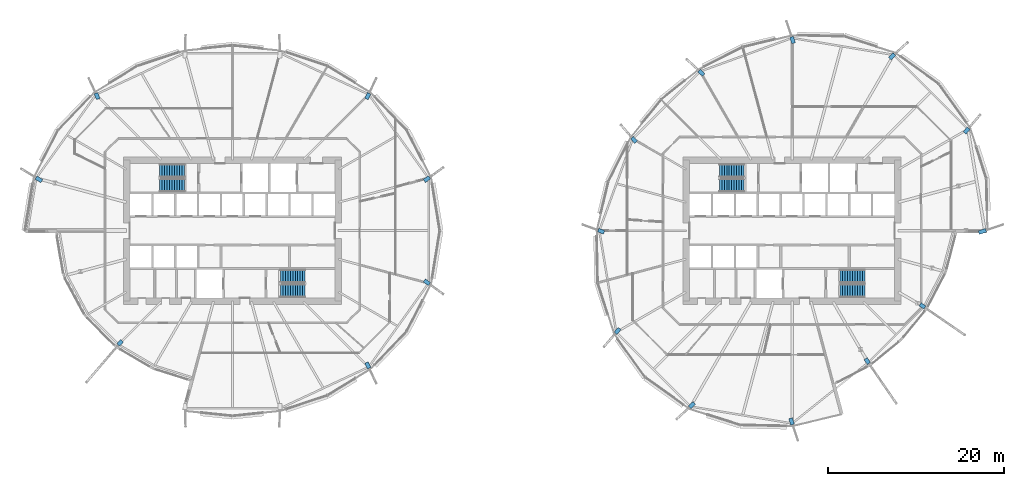
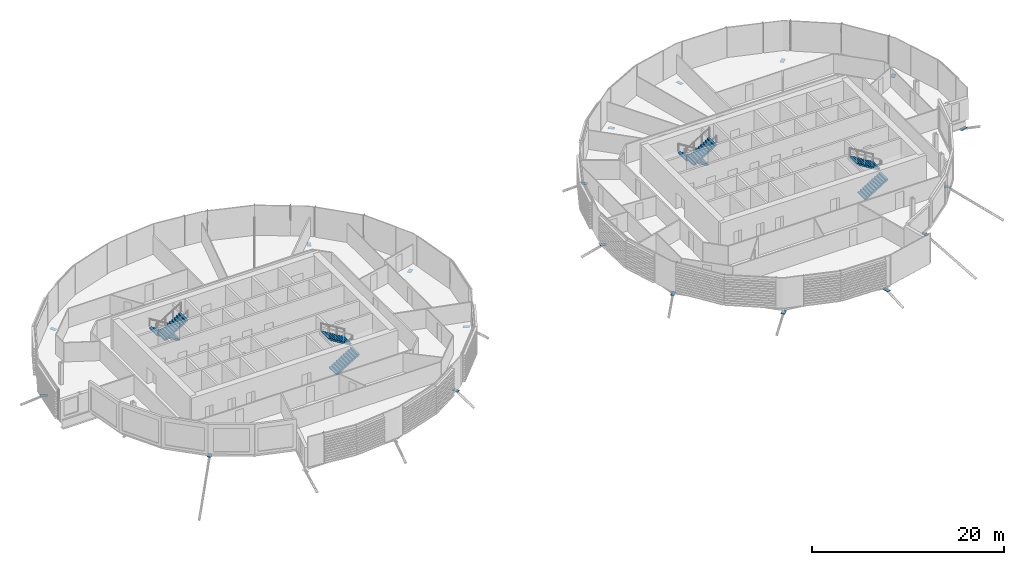
# One storey, part 26 of 39: 19 discrete accessories, 8 stair flights, 4 elements without a shape of their own.
"""IFC4 building model written with IfcOpenShell, lengths in metres."""

from ifc_helpers import new_model, si_unit, direction, frame, origin, origin_2d, place, context, subcontext, project, spatial, polyline, rectangle, outline, extrude, material, material_profile, profile_set, type_object, element, aggregate, save


model = new_model("IFC4")

# Units and contexts
model_context = context("Model", 3, precision=1e-05, world=origin(), true_north=direction((0.0, 1.0)))
body_context = subcontext(model_context, "Body", "Model", "MODEL_VIEW")
ifc_project = project(units=[si_unit("LENGTHUNIT", "METRE"), si_unit("AREAUNIT", "SQUARE_METRE"), si_unit("VOLUMEUNIT", "CUBIC_METRE"), si_unit("PLANEANGLEUNIT", "RADIAN"), si_unit("MASSUNIT", "GRAM", prefix="KILO")], contexts=[model_context])

# Site, building, storey
site_placement = place(None, origin())
site = spatial("IfcSite", under=ifc_project, at=site_placement, CompositionType="ELEMENT")
building_placement = place(site_placement, origin())
building = spatial("IfcBuilding", under=site, at=building_placement, Name="Rimbun Link Towers", CompositionType="ELEMENT")
storey_placement = place(building_placement, frame((0.0, 0.0, 96.800048828125)))
storey = spatial("IfcBuildingStorey", under=building, at=storey_placement, Name="L23", CompositionType="ELEMENT", Elevation=96.800048828125)

# Stair, stair flights
ifc_material_1 = material(Name="Concrete C40/50", Category="concrete")
stair_type = type_object("IfcStairType", Name="Exit stair 3800 rise", PredefinedType="HALF_TURN_STAIR", material=ifc_material_1)
stair_1_placement = place(storey_placement, origin())
stair_1 = element("IfcStair", 1, at=stair_1_placement, inside=storey, type_object=stair_type, Name="L23 EXIT STAIR A", PredefinedType="HALF_TURN_STAIR")
ifc_material_2 = material(Name="Concrete C40/50", Category="concrete")
stair_flight_type = type_object("IfcStairFlightType", Name="Exit stair flight 3800 rise", PredefinedType="STRAIGHT", material=ifc_material_2)
stair_flight_1_placement = place(storey_placement, frame((-37.199951171875, 6.800048828125, 0.0), z_axis=(0.0, 0.0, 1.0), x_axis=(-1.0, 0.0, 0.0)))
stair_flight_1 = element("IfcStairFlight", 2, at=stair_flight_1_placement, type_object=stair_flight_type, Name="ST1 flight 1", NumberOfRisers=11, NumberOfTreads=10, PredefinedType="STRAIGHT", RiserHeight=0.172727273, TreadLength=0.28, context=body_context, shape_type="SweptSolid", body=[
    extrude(outline(polyline([(0.0, 0.0), (0.0, 0.172607421875), (0.280029296875, 0.172607421875), (0.280029296875, 0.345458984375), (0.56005859375, 0.345458984375), (0.56005859375, 0.51806640625), (0.840087890625, 0.51806640625), (0.840087890625, 0.69091796875), (1.1201171875, 0.69091796875), (1.1201171875, 0.863525390625), (1.39990234375, 0.863525390625), (1.39990234375, 1.036376953125), (1.679931640625, 1.036376953125), (1.679931640625, 1.208984375), (1.9599609375, 1.208984375), (1.9599609375, 1.3818359375), (2.239990234375, 1.3818359375), (2.239990234375, 1.554443359375), (2.52001953125, 1.554443359375), (2.52001953125, 1.727294921875), (2.800048828125, 1.727294921875), (2.800048828125, 1.89990234375), (2.800048828125, 1.551025390625), (0.280029296875, 0.0), (0.0, 0.0)])), frame((0.0, 0.75, 0.0), z_axis=(0.0, -1.0, 0.0), x_axis=(1.0, 0.0, 0.0)), (0.0, 0.0, 1.0), 1.5),
])
stair_flight_2_placement = place(storey_placement, frame((-40.0, 5.14990234375, 1.89990234375), z_axis=(0.0, 0.0, 1.0), x_axis=(1.0, 0.0, 0.0)))
stair_flight_2 = element("IfcStairFlight", 3, at=stair_flight_2_placement, type_object=stair_flight_type, Name="ST1 flight 2", NumberOfRisers=11, NumberOfTreads=10, PredefinedType="STRAIGHT", RiserHeight=0.172727273, TreadLength=0.28, context=body_context, shape_type="SweptSolid", body=[
    extrude(outline(polyline([(0.0, 0.0), (0.0, 0.172607421875), (0.280029296875, 0.172607421875), (0.280029296875, 0.345458984375), (0.56005859375, 0.345458984375), (0.56005859375, 0.51806640625), (0.840087890625, 0.51806640625), (0.840087890625, 0.69091796875), (1.1201171875, 0.69091796875), (1.1201171875, 0.863525390625), (1.39990234375, 0.863525390625), (1.39990234375, 1.036376953125), (1.679931640625, 1.036376953125), (1.679931640625, 1.208984375), (1.9599609375, 1.208984375), (1.9599609375, 1.3818359375), (2.239990234375, 1.3818359375), (2.239990234375, 1.554443359375), (2.52001953125, 1.554443359375), (2.52001953125, 1.727294921875), (2.800048828125, 1.727294921875), (2.800048828125, 1.89990234375), (2.800048828125, 1.551025390625), (0.280029296875, 0.0), (0.0, 0.0)])), frame((0.0, 0.75, 0.0), z_axis=(0.0, -1.0, 0.0), x_axis=(1.0, 0.0, 0.0)), (0.0, 0.0, 1.0), 1.5),
])
aggregate(stair_1, [stair_flight_1, stair_flight_2])

stair_2_placement = place(storey_placement, origin())
stair_2 = element("IfcStair", 4, at=stair_2_placement, inside=storey, type_object=stair_type, Name="L23 EXIT STAIR B", PredefinedType="HALF_TURN_STAIR")
stair_flight_3_placement = place(storey_placement, frame((-26.300048828125, -6.800048828125, 0.0), z_axis=(0.0, 0.0, 1.0), x_axis=(1.0, 0.0, 0.0)))
stair_flight_3 = element("IfcStairFlight", 5, at=stair_flight_3_placement, type_object=stair_flight_type, Name="ST2 flight 1", NumberOfRisers=11, NumberOfTreads=10, PredefinedType="STRAIGHT", RiserHeight=0.172727273, TreadLength=0.28, context=body_context, shape_type="SweptSolid", body=[
    extrude(outline(polyline([(0.0, 0.0), (0.0, 0.172607421875), (0.280029296875, 0.172607421875), (0.280029296875, 0.345458984375), (0.56005859375, 0.345458984375), (0.56005859375, 0.51806640625), (0.840087890625, 0.51806640625), (0.840087890625, 0.69091796875), (1.1201171875, 0.69091796875), (1.1201171875, 0.863525390625), (1.39990234375, 0.863525390625), (1.39990234375, 1.036376953125), (1.679931640625, 1.036376953125), (1.679931640625, 1.208984375), (1.9599609375, 1.208984375), (1.9599609375, 1.3818359375), (2.239990234375, 1.3818359375), (2.239990234375, 1.554443359375), (2.52001953125, 1.554443359375), (2.52001953125, 1.727294921875), (2.800048828125, 1.727294921875), (2.800048828125, 1.89990234375), (2.800048828125, 1.551025390625), (0.280029296875, 0.0), (0.0, 0.0)])), frame((0.0, 0.75, 0.0), z_axis=(0.0, -1.0, 0.0), x_axis=(1.0, 0.0, 0.0)), (0.0, 0.0, 1.0), 1.5),
])
stair_flight_4_placement = place(storey_placement, frame((-23.5, -5.14990234375, 1.89990234375), z_axis=(0.0, 0.0, 1.0), x_axis=(-1.0, 0.0, 0.0)))
stair_flight_4 = element("IfcStairFlight", 6, at=stair_flight_4_placement, type_object=stair_flight_type, Name="ST2 flight 2", NumberOfRisers=11, NumberOfTreads=10, PredefinedType="STRAIGHT", RiserHeight=0.172727273, TreadLength=0.28, context=body_context, shape_type="SweptSolid", body=[
    extrude(outline(polyline([(0.0, 0.0), (0.0, 0.172607421875), (0.280029296875, 0.172607421875), (0.280029296875, 0.345458984375), (0.56005859375, 0.345458984375), (0.56005859375, 0.51806640625), (0.840087890625, 0.51806640625), (0.840087890625, 0.69091796875), (1.1201171875, 0.69091796875), (1.1201171875, 0.863525390625), (1.39990234375, 0.863525390625), (1.39990234375, 1.036376953125), (1.679931640625, 1.036376953125), (1.679931640625, 1.208984375), (1.9599609375, 1.208984375), (1.9599609375, 1.3818359375), (2.239990234375, 1.3818359375), (2.239990234375, 1.554443359375), (2.52001953125, 1.554443359375), (2.52001953125, 1.727294921875), (2.800048828125, 1.727294921875), (2.800048828125, 1.89990234375), (2.800048828125, 1.551025390625), (0.280029296875, 0.0), (0.0, 0.0)])), frame((0.0, 0.75, 0.0), z_axis=(0.0, -1.0, 0.0), x_axis=(1.0, 0.0, 0.0)), (0.0, 0.0, 1.0), 1.5),
])
aggregate(stair_2, [stair_flight_3, stair_flight_4])

stair_3_placement = place(storey_placement, origin())
stair_3 = element("IfcStair", 7, at=stair_3_placement, inside=storey, type_object=stair_type, Name="L23 EXIT STAIR A", PredefinedType="HALF_TURN_STAIR")
stair_flight_5_placement = place(storey_placement, frame((26.300048828125, 6.800048828125, 0.0), z_axis=(0.0, 0.0, 1.0), x_axis=(-1.0, 0.0, 0.0)))
stair_flight_5 = element("IfcStairFlight", 8, at=stair_flight_5_placement, type_object=stair_flight_type, Name="ST3 flight 1", NumberOfRisers=11, NumberOfTreads=10, PredefinedType="STRAIGHT", RiserHeight=0.172727273, TreadLength=0.28, context=body_context, shape_type="SweptSolid", body=[
    extrude(outline(polyline([(0.0, 0.0), (0.0, 0.172607421875), (0.280029296875, 0.172607421875), (0.280029296875, 0.345458984375), (0.56005859375, 0.345458984375), (0.56005859375, 0.51806640625), (0.840087890625, 0.51806640625), (0.840087890625, 0.69091796875), (1.1201171875, 0.69091796875), (1.1201171875, 0.863525390625), (1.39990234375, 0.863525390625), (1.39990234375, 1.036376953125), (1.679931640625, 1.036376953125), (1.679931640625, 1.208984375), (1.9599609375, 1.208984375), (1.9599609375, 1.3818359375), (2.239990234375, 1.3818359375), (2.239990234375, 1.554443359375), (2.52001953125, 1.554443359375), (2.52001953125, 1.727294921875), (2.800048828125, 1.727294921875), (2.800048828125, 1.89990234375), (2.800048828125, 1.551025390625), (0.280029296875, 0.0), (0.0, 0.0)])), frame((0.0, 0.75, 0.0), z_axis=(0.0, -1.0, 0.0), x_axis=(1.0, 0.0, 0.0)), (0.0, 0.0, 1.0), 1.5),
])
stair_flight_6_placement = place(storey_placement, frame((23.5, 5.14990234375, 1.89990234375), z_axis=(0.0, 0.0, 1.0), x_axis=(1.0, 0.0, 0.0)))
stair_flight_6 = element("IfcStairFlight", 9, at=stair_flight_6_placement, type_object=stair_flight_type, Name="ST3 flight 2", NumberOfRisers=11, NumberOfTreads=10, PredefinedType="STRAIGHT", RiserHeight=0.172727273, TreadLength=0.28, context=body_context, shape_type="SweptSolid", body=[
    extrude(outline(polyline([(0.0, 0.0), (0.0, 0.172607421875), (0.280029296875, 0.172607421875), (0.280029296875, 0.345458984375), (0.56005859375, 0.345458984375), (0.56005859375, 0.51806640625), (0.840087890625, 0.51806640625), (0.840087890625, 0.69091796875), (1.1201171875, 0.69091796875), (1.1201171875, 0.863525390625), (1.39990234375, 0.863525390625), (1.39990234375, 1.036376953125), (1.679931640625, 1.036376953125), (1.679931640625, 1.208984375), (1.9599609375, 1.208984375), (1.9599609375, 1.3818359375), (2.239990234375, 1.3818359375), (2.239990234375, 1.554443359375), (2.52001953125, 1.554443359375), (2.52001953125, 1.727294921875), (2.800048828125, 1.727294921875), (2.800048828125, 1.89990234375), (2.800048828125, 1.551025390625), (0.280029296875, 0.0), (0.0, 0.0)])), frame((0.0, 0.75, 0.0), z_axis=(0.0, -1.0, 0.0), x_axis=(1.0, 0.0, 0.0)), (0.0, 0.0, 1.0), 1.5),
])
aggregate(stair_3, [stair_flight_5, stair_flight_6])

stair_4_placement = place(storey_placement, origin())
stair_4 = element("IfcStair", 10, at=stair_4_placement, inside=storey, type_object=stair_type, Name="L23 EXIT STAIR B", PredefinedType="HALF_TURN_STAIR")
stair_flight_7_placement = place(storey_placement, frame((37.199951171875, -6.800048828125, 0.0), z_axis=(0.0, 0.0, 1.0), x_axis=(1.0, 0.0, 0.0)))
stair_flight_7 = element("IfcStairFlight", 11, at=stair_flight_7_placement, type_object=stair_flight_type, Name="ST4 flight 1", NumberOfRisers=11, NumberOfTreads=10, PredefinedType="STRAIGHT", RiserHeight=0.172727273, TreadLength=0.28, context=body_context, shape_type="SweptSolid", body=[
    extrude(outline(polyline([(0.0, 0.0), (0.0, 0.172607421875), (0.280029296875, 0.172607421875), (0.280029296875, 0.345458984375), (0.56005859375, 0.345458984375), (0.56005859375, 0.51806640625), (0.840087890625, 0.51806640625), (0.840087890625, 0.69091796875), (1.1201171875, 0.69091796875), (1.1201171875, 0.863525390625), (1.39990234375, 0.863525390625), (1.39990234375, 1.036376953125), (1.679931640625, 1.036376953125), (1.679931640625, 1.208984375), (1.9599609375, 1.208984375), (1.9599609375, 1.3818359375), (2.239990234375, 1.3818359375), (2.239990234375, 1.554443359375), (2.52001953125, 1.554443359375), (2.52001953125, 1.727294921875), (2.800048828125, 1.727294921875), (2.800048828125, 1.89990234375), (2.800048828125, 1.551025390625), (0.280029296875, 0.0), (0.0, 0.0)])), frame((0.0, 0.75, 0.0), z_axis=(0.0, -1.0, 0.0), x_axis=(1.0, 0.0, 0.0)), (0.0, 0.0, 1.0), 1.5),
])
stair_flight_8_placement = place(storey_placement, frame((40.0, -5.14990234375, 1.89990234375), z_axis=(0.0, 0.0, 1.0), x_axis=(-1.0, 0.0, 0.0)))
stair_flight_8 = element("IfcStairFlight", 12, at=stair_flight_8_placement, type_object=stair_flight_type, Name="ST4 flight 2", NumberOfRisers=11, NumberOfTreads=10, PredefinedType="STRAIGHT", RiserHeight=0.172727273, TreadLength=0.28, context=body_context, shape_type="SweptSolid", body=[
    extrude(outline(polyline([(0.0, 0.0), (0.0, 0.172607421875), (0.280029296875, 0.172607421875), (0.280029296875, 0.345458984375), (0.56005859375, 0.345458984375), (0.56005859375, 0.51806640625), (0.840087890625, 0.51806640625), (0.840087890625, 0.69091796875), (1.1201171875, 0.69091796875), (1.1201171875, 0.863525390625), (1.39990234375, 0.863525390625), (1.39990234375, 1.036376953125), (1.679931640625, 1.036376953125), (1.679931640625, 1.208984375), (1.9599609375, 1.208984375), (1.9599609375, 1.3818359375), (2.239990234375, 1.3818359375), (2.239990234375, 1.554443359375), (2.52001953125, 1.554443359375), (2.52001953125, 1.727294921875), (2.800048828125, 1.727294921875), (2.800048828125, 1.89990234375), (2.800048828125, 1.551025390625), (0.280029296875, 0.0), (0.0, 0.0)])), frame((0.0, 0.75, 0.0), z_axis=(0.0, -1.0, 0.0), x_axis=(1.0, 0.0, 0.0)), (0.0, 0.0, 1.0), 1.5),
])
aggregate(stair_4, [stair_flight_7, stair_flight_8])

# Discrete accessories
ifc_material_3 = material(Name="Steel S355J2H", Category="steel")
ifc_material_profile = material_profile(ifc_material_3, rectangle(XDim=0.43310546875, YDim=0.43310546875, at=origin_2d()), Name="PL 433x433")
ifc_profile_set = profile_set([ifc_material_profile], Name="Steel S355J2H")
discrete_accessory_type = type_object("IfcDiscreteAccessoryType", Name="Link head end plate 433X20", PredefinedType="BRACKET", material=ifc_profile_set)
discrete_accessory_1_placement = place(storey_placement, frame((0.0, 0.0, -0.713134765625)))
element("IfcDiscreteAccessory", 13, at=discrete_accessory_1_placement, inside=storey, type_object=discrete_accessory_type, Name="Link head end plate T1 L23 01", PredefinedType="BRACKET", context=body_context, shape_type="SweptSolid", body=[
    extrude(outline(polyline([(-9.847412109375, 5.46435546875), (-9.267333984375, 5.8818359375), (-9.5205078125, 6.233154296875), (-10.100341796875, 5.815673828125), (-9.847412109375, 5.46435546875)])), origin(), (0.0, 0.0, 1.0), 0.02001953125),
])
discrete_accessory_2_placement = place(storey_placement, frame((0.0, 0.0, -0.713134765625)))
element("IfcDiscreteAccessory", 14, at=discrete_accessory_2_placement, inside=storey, type_object=discrete_accessory_type, Name="Link head end plate T1 L23 03", PredefinedType="BRACKET", context=body_context, shape_type="SweptSolid", body=[
    extrude(outline(polyline([(-16.34814453125, 14.860595703125), (-16.04541015625, 15.50439453125), (-16.4375, 15.688720703125), (-16.739990234375, 15.044677734375), (-16.34814453125, 14.860595703125)])), origin(), (0.0, 0.0, 1.0), 0.02001953125),
])
discrete_accessory_3_placement = place(storey_placement, frame((0.0, 0.0, -0.713134765625)))
element("IfcDiscreteAccessory", 15, at=discrete_accessory_3_placement, inside=storey, type_object=discrete_accessory_type, Name="Link head end plate T1 L23 09", PredefinedType="BRACKET", context=body_context, shape_type="SweptSolid", body=[
    extrude(outline(polyline([(-46.760009765625, 15.044677734375), (-47.0625, 15.688720703125), (-47.45458984375, 15.50439453125), (-47.15185546875, 14.860595703125), (-46.760009765625, 15.044677734375)])), origin(), (0.0, 0.0, 1.0), 0.02001953125),
])
discrete_accessory_4_placement = place(storey_placement, frame((0.0, 0.0, -1.098388671875)))
element("IfcDiscreteAccessory", 16, at=discrete_accessory_4_placement, inside=storey, type_object=discrete_accessory_type, Name="Link head end plate T1 L23 11", PredefinedType="BRACKET", context=body_context, shape_type="SweptSolid", body=[
    extrude(outline(polyline([(-53.26513671875, 5.812744140625), (-53.9130859375, 6.20654296875), (-54.137939453125, 5.83642578125), (-53.489990234375, 5.442626953125), (-53.26513671875, 5.812744140625)])), origin(), (0.0, 0.0, 1.0), 0.02001953125),
])
discrete_accessory_5_placement = place(storey_placement, frame((0.0, 0.0, -0.713134765625)))
element("IfcDiscreteAccessory", 17, at=discrete_accessory_5_placement, inside=storey, type_object=discrete_accessory_type, Name="Link head end plate T1 L23 15", PredefinedType="BRACKET", context=body_context, shape_type="SweptSolid", body=[
    extrude(outline(polyline([(-44.44091796875, -12.336669921875), (-44.85498046875, -12.819580078125), (-44.526123046875, -13.1015625), (-44.112060546875, -12.618408203125), (-44.44091796875, -12.336669921875)])), origin(), (0.0, 0.0, 1.0), 0.02001953125),
])
discrete_accessory_6_placement = place(storey_placement, frame((0.0, 0.0, -0.713134765625)))
element("IfcDiscreteAccessory", 18, at=discrete_accessory_6_placement, inside=storey, type_object=discrete_accessory_type, Name="Link head end plate T1 L23 21", PredefinedType="BRACKET", context=body_context, shape_type="SweptSolid", body=[
    extrude(outline(polyline([(-16.739990234375, -15.044677734375), (-16.4375, -15.688720703125), (-16.04541015625, -15.50439453125), (-16.34814453125, -14.860595703125), (-16.739990234375, -15.044677734375)])), origin(), (0.0, 0.0, 1.0), 0.02001953125),
])
discrete_accessory_7_placement = place(storey_placement, frame((0.0, 0.0, -0.713134765625)))
element("IfcDiscreteAccessory", 19, at=discrete_accessory_7_placement, inside=storey, type_object=discrete_accessory_type, Name="Link head end plate T1 L23 23", PredefinedType="BRACKET", context=body_context, shape_type="SweptSolid", body=[
    extrude(outline(polyline([(-10.100341796875, -5.815673828125), (-9.5205078125, -6.233154296875), (-9.267333984375, -5.8818359375), (-9.847412109375, -5.46435546875), (-10.100341796875, -5.815673828125)])), origin(), (0.0, 0.0, 1.0), 0.02001953125),
])
discrete_accessory_8_placement = place(storey_placement, frame((0.0, 0.0, -0.942138671875)))
element("IfcDiscreteAccessory", 20, at=discrete_accessory_8_placement, inside=storey, type_object=discrete_accessory_type, Name="Link head end plate T2 L23 01", PredefinedType="BRACKET", context=body_context, shape_type="SweptSolid", body=[
    extrude(outline(polyline([(42.98388671875, 19.381591796875), (43.526123046875, 19.872802734375), (43.2353515625, 20.193603515625), (42.693115234375, 19.702392578125), (42.98388671875, 19.381591796875)])), origin(), (0.0, 0.0, 1.0), 0.019775390625),
])
discrete_accessory_9_placement = place(storey_placement, frame((0.0, 0.0, -0.942138671875)))
element("IfcDiscreteAccessory", 21, at=discrete_accessory_9_placement, inside=storey, type_object=discrete_accessory_type, Name="Link head end plate T2 L23 03", PredefinedType="BRACKET", context=body_context, shape_type="SweptSolid", body=[
    extrude(outline(polyline([(32.1337890625, 21.35302734375), (31.89794921875, 22.063232421875), (31.487060546875, 21.9267578125), (31.722900390625, 21.216552734375), (32.1337890625, 21.35302734375)])), origin(), (0.0, 0.0, 1.0), 0.019775390625),
])
discrete_accessory_10_placement = place(storey_placement, frame((0.0, 0.0, -0.78271484375)))
element("IfcDiscreteAccessory", 22, at=discrete_accessory_10_placement, inside=storey, type_object=discrete_accessory_type, Name="Link head end plate T2 L23 05", PredefinedType="BRACKET", context=body_context, shape_type="SweptSolid", body=[
    extrude(outline(polyline([(21.8671875, 17.83837890625), (21.3525390625, 18.3125), (21.05908203125, 17.994140625), (21.573486328125, 17.52001953125), (21.8671875, 17.83837890625)])), origin(), (0.0, 0.0, 1.0), 0.02001953125),
])
discrete_accessory_11_placement = place(storey_placement, frame((0.0, 0.0, -0.53515625)))
element("IfcDiscreteAccessory", 23, at=discrete_accessory_11_placement, inside=storey, type_object=discrete_accessory_type, Name="Link head end plate T2 L23 07", PredefinedType="BRACKET", context=body_context, shape_type="SweptSolid", body=[
    extrude(outline(polyline([(14.203125, 10.18701171875), (13.76220703125, 10.69091796875), (13.436279296875, 10.40576171875), (13.87744140625, 9.901611328125), (14.203125, 10.18701171875)])), origin(), (0.0, 0.0, 1.0), 0.02001953125),
])
discrete_accessory_12_placement = place(storey_placement, frame((0.0, 0.0, -0.713134765625)))
element("IfcDiscreteAccessory", 24, at=discrete_accessory_12_placement, inside=storey, type_object=discrete_accessory_type, Name="Link head end plate T2 L23 09", PredefinedType="BRACKET", context=body_context, shape_type="SweptSolid", body=[
    extrude(outline(polyline([(10.498291015625, 0.024658203125), (9.828857421875, 0.265869140625), (9.681884765625, -0.141357421875), (10.351318359375, -0.3828125), (10.498291015625, 0.024658203125)])), origin(), (0.0, 0.0, 1.0), 0.02001953125),
])
discrete_accessory_13_placement = place(storey_placement, frame((0.0, 0.0, -0.713134765625)))
element("IfcDiscreteAccessory", 25, at=discrete_accessory_13_placement, inside=storey, type_object=discrete_accessory_type, Name="Link head end plate T2 L23 11", PredefinedType="BRACKET", context=body_context, shape_type="SweptSolid", body=[
    extrude(outline(polyline([(12.01220703125, -10.962890625), (11.555419921875, -11.493408203125), (11.8837890625, -11.77587890625), (12.34033203125, -11.245361328125), (12.01220703125, -10.962890625)])), origin(), (0.0, 0.0, 1.0), 0.02001953125),
])
discrete_accessory_14_placement = place(storey_placement, frame((0.0, 0.0, -0.942138671875)))
element("IfcDiscreteAccessory", 26, at=discrete_accessory_14_placement, inside=storey, type_object=discrete_accessory_type, Name="Link head end plate T2 L23 13", PredefinedType="BRACKET", context=body_context, shape_type="SweptSolid", body=[
    extrude(outline(polyline([(20.51611328125, -19.381591796875), (19.973876953125, -19.872802734375), (20.2646484375, -20.193603515625), (20.806884765625, -19.702392578125), (20.51611328125, -19.381591796875)])), origin(), (0.0, 0.0, 1.0), 0.019775390625),
])
discrete_accessory_15_placement = place(storey_placement, frame((0.0, 0.0, -0.942138671875)))
element("IfcDiscreteAccessory", 27, at=discrete_accessory_15_placement, inside=storey, type_object=discrete_accessory_type, Name="Link head end plate T2 L23 15", PredefinedType="BRACKET", context=body_context, shape_type="SweptSolid", body=[
    extrude(outline(polyline([(31.3662109375, -21.35302734375), (31.60205078125, -22.063232421875), (32.012939453125, -21.9267578125), (31.777099609375, -21.216552734375), (31.3662109375, -21.35302734375)])), origin(), (0.0, 0.0, 1.0), 0.019775390625),
])
discrete_accessory_16_placement = place(storey_placement, frame((0.0, 0.0, -1.020751953125)))
element("IfcDiscreteAccessory", 28, at=discrete_accessory_16_placement, inside=storey, type_object=discrete_accessory_type, Name="Link head end plate T2 L23 17", PredefinedType="BRACKET", context=body_context, shape_type="SweptSolid", body=[
    extrude(outline(polyline([(39.914794921875, -14.647216796875), (40.28466796875, -15.185302734375), (40.6416015625, -14.93994140625), (40.271484375, -14.40185546875), (39.914794921875, -14.647216796875)])), origin(), (0.0, 0.0, 1.0), 0.02001953125),
])
discrete_accessory_17_placement = place(storey_placement, frame((0.0, 0.0, -1.020751953125)))
element("IfcDiscreteAccessory", 29, at=discrete_accessory_17_placement, inside=storey, type_object=discrete_accessory_type, Name="Link head end plate T2 L23 19", PredefinedType="BRACKET", context=body_context, shape_type="SweptSolid", body=[
    extrude(outline(polyline([(46.15185546875, -8.521484375), (46.68994140625, -8.8916015625), (46.935302734375, -8.53466796875), (46.397216796875, -8.164794921875), (46.15185546875, -8.521484375)])), origin(), (0.0, 0.0, 1.0), 0.02001953125),
])
discrete_accessory_18_placement = place(storey_placement, frame((0.0, 0.0, -1.098388671875)))
element("IfcDiscreteAccessory", 30, at=discrete_accessory_18_placement, inside=storey, type_object=discrete_accessory_type, Name="Link head end plate T2 L23 21", PredefinedType="BRACKET", context=body_context, shape_type="SweptSolid", body=[
    extrude(outline(polyline([(52.99462890625, -0.420654296875), (53.81201171875, -0.148193359375), (53.67529296875, 0.2626953125), (52.857666015625, -0.009765625), (52.99462890625, -0.420654296875)])), origin(), (0.0, 0.0, 1.0), 0.02001953125),
])
discrete_accessory_19_placement = place(storey_placement, frame((0.0, 0.0, -0.713134765625)))
element("IfcDiscreteAccessory", 31, at=discrete_accessory_19_placement, inside=storey, type_object=discrete_accessory_type, Name="Link head end plate T2 L23 23", PredefinedType="BRACKET", context=body_context, shape_type="SweptSolid", body=[
    extrude(outline(polyline([(51.48779296875, 10.962890625), (51.944580078125, 11.493408203125), (51.6162109375, 11.77587890625), (51.15966796875, 11.245361328125), (51.48779296875, 10.962890625)])), origin(), (0.0, 0.0, 1.0), 0.02001953125),
])

save(model, "model.ifc")
